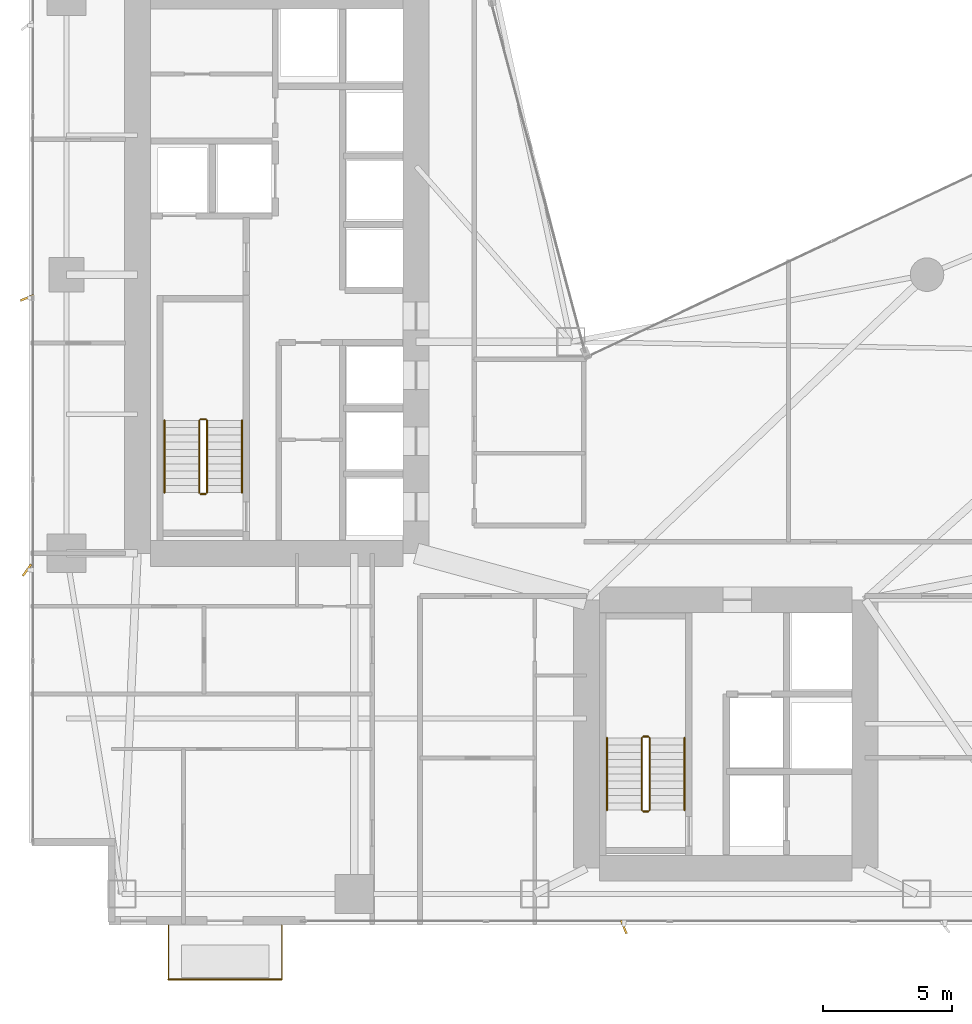
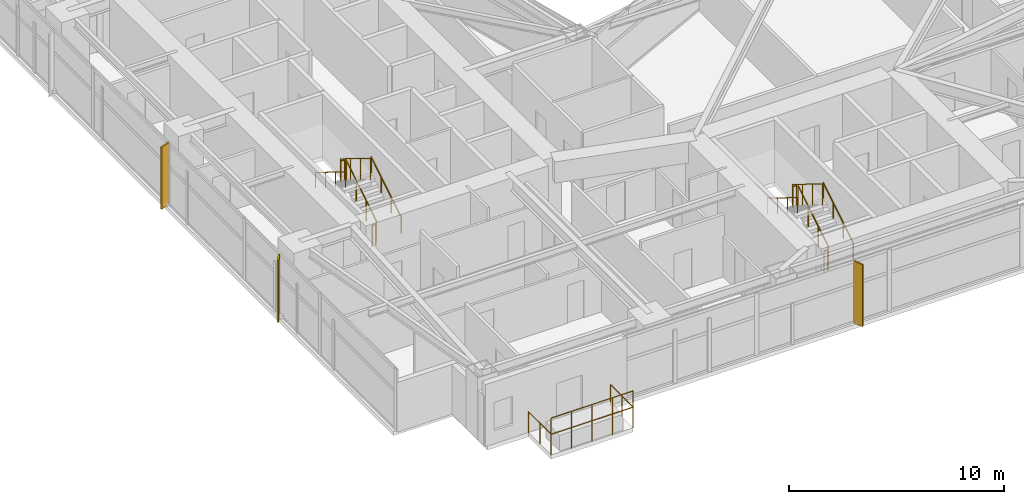
# One storey, part 27 of 28: 14 railings, 3 shading devices.
"""IFC4 building model written with IfcOpenShell, lengths in metres."""

from ifc_helpers import new_model, si_unit, direction, frame, origin, origin_2d, place, context, subcontext, project, spatial, rectangle, circle, extrude, material, type_object, element, save


model = new_model("IFC4")

# Units and contexts
model_context = context("Model", 3, precision=1e-05, world=origin(), true_north=direction((0.0, 1.0)))
body_context = subcontext(model_context, "Body", "Model", "MODEL_VIEW")
ifc_project = project(units=[si_unit("LENGTHUNIT", "METRE"), si_unit("AREAUNIT", "SQUARE_METRE"), si_unit("VOLUMEUNIT", "CUBIC_METRE"), si_unit("PLANEANGLEUNIT", "RADIAN"), si_unit("MASSUNIT", "GRAM", prefix="KILO")], contexts=[model_context])

# Site, building, storey
site_placement = place(None, origin())
site = spatial("IfcSite", under=ifc_project, at=site_placement, CompositionType="ELEMENT")
building_placement = place(site_placement, origin())
building = spatial("IfcBuilding", under=site, at=building_placement, Name="Calvorn Quay Hotel", CompositionType="ELEMENT")
storey_placement = place(building_placement, frame((0.0, 0.0, 42.199951171875)))
storey = spatial("IfcBuildingStorey", under=building, at=storey_placement, Name="L09", CompositionType="ELEMENT", Elevation=42.199951171875)

# Railings
ifc_material_1 = material(Name="Pale Anodised Aluminium and Laminated Glass", Category="aluminium")
railing_type_1 = type_object("IfcRailingType", Name="RLG-BALUSTRADE-1200", PredefinedType="BALUSTRADE", material=ifc_material_1)
railing_1_placement = place(storey_placement, frame((5.39990234375, 2.389892578125, 0.0)))
element("IfcRailing", 1, at=railing_1_placement, inside=storey, type_object=railing_type_1, Name="Tree Balcony Perimeter Balustrade L09-BALC-S", PredefinedType="BALUSTRADE", context=body_context, shape_type="SweptSolid", body=[
    extrude(circle(Radius=0.02392578125, at=origin_2d()), frame((0.0, 0.0, 1.17578125), z_axis=(0.0, -1.0, 0.0), x_axis=(1.0, 0.0, 0.0)), (0.0, 0.0, 1.0), 2.099853515625),
    extrude(circle(Radius=0.02392578125, at=origin_2d()), frame((0.0, -2.099853515625, 1.17578125), z_axis=(1.0, 0.0, 0.0), x_axis=(0.0, 1.0, 0.0)), (0.0, 0.0, 1.0), 4.400146484375),
    extrude(circle(Radius=0.02392578125, at=origin_2d()), frame((4.400146484375, -2.099853515625, 1.17578125), z_axis=(0.0, 1.0, 0.0), x_axis=(-1.0, 0.0, 0.0)), (0.0, 0.0, 1.0), 2.099853515625),
    extrude(circle(Radius=0.02099609375, at=origin_2d()), origin(), (0.0, 0.0, 1.0), 1.15185546875),
    extrude(circle(Radius=0.02099609375, at=origin_2d()), frame((0.0, -1.0498046875, 0.0)), (0.0, 0.0, 1.0), 1.15185546875),
    extrude(circle(Radius=0.02099609375, at=origin_2d()), frame((0.0, -2.099853515625, 0.0)), (0.0, 0.0, 1.0), 1.15185546875),
    extrude(circle(Radius=0.02099609375, at=origin_2d()), frame((1.10009765625, -2.099853515625, 0.0)), (0.0, 0.0, 1.0), 1.15185546875),
    extrude(circle(Radius=0.02099609375, at=origin_2d()), frame((2.2001953125, -2.099853515625, 0.0)), (0.0, 0.0, 1.0), 1.15185546875),
    extrude(circle(Radius=0.02099609375, at=origin_2d()), frame((3.300048828125, -2.099853515625, 0.0)), (0.0, 0.0, 1.0), 1.15185546875),
    extrude(circle(Radius=0.02099609375, at=origin_2d()), frame((4.400146484375, -2.099853515625, 0.0)), (0.0, 0.0, 1.0), 1.15185546875),
    extrude(circle(Radius=0.02099609375, at=origin_2d()), frame((4.400146484375, -1.0498046875, 0.0)), (0.0, 0.0, 1.0), 1.15185546875),
    extrude(circle(Radius=0.02099609375, at=origin_2d()), frame((4.400146484375, 0.0, 0.0)), (0.0, 0.0, 1.0), 1.15185546875),
])
railing_2_placement = place(storey_placement, frame((5.39990234375, 0.2900390625, 0.900146484375)))
element("IfcRailing", 2, at=railing_2_placement, inside=storey, type_object=railing_type_1, Name="Planter Kerb High Safety Screen L09-BALC-S", PredefinedType="BALUSTRADE", context=body_context, shape_type="SweptSolid", body=[
    extrude(circle(Radius=0.02392578125, at=origin_2d()), frame((0.0, 0.0, 1.19580078125), z_axis=(1.0, 0.0, 0.0), x_axis=(0.0, 1.0, 0.0)), (0.0, 0.0, 1.0), 4.400146484375),
    extrude(circle(Radius=0.02099609375, at=origin_2d()), origin(), (0.0, 0.0, 1.0), 1.171875),
    extrude(circle(Radius=0.02099609375, at=origin_2d()), frame((1.10009765625, 0.0, 0.0)), (0.0, 0.0, 1.0), 1.171875),
    extrude(circle(Radius=0.02099609375, at=origin_2d()), frame((2.2001953125, 0.0, 0.0)), (0.0, 0.0, 1.0), 1.171875),
    extrude(circle(Radius=0.02099609375, at=origin_2d()), frame((3.300048828125, 0.0, 0.0)), (0.0, 0.0, 1.0), 1.171875),
    extrude(circle(Radius=0.02099609375, at=origin_2d()), frame((4.400146484375, 0.0, 0.0)), (0.0, 0.0, 1.0), 1.171875),
])
ifc_material_2 = material(Name="Brushed Stainless Steel Handrail", Category="steel")
railing_type_2 = type_object("IfcRailingType", Name="RLG-HANDRAIL-900", PredefinedType="HANDRAIL", material=ifc_material_2)
railing_3_placement = place(storey_placement, frame((8.25, 19.14990234375, 0.1728515625)))
element("IfcRailing", 3, at=railing_3_placement, inside=storey, type_object=railing_type_2, Name="L09 ST-W stair handrail 1", PredefinedType="HANDRAIL", context=body_context, shape_type="SweptSolid", body=[
    extrude(circle(Radius=0.02392578125, at=origin_2d()), frame((0.0, 0.0, 0.8759765625), z_axis=(0.0, 0.851089632645, 0.525020415988), x_axis=(-1.0, 0.0, 0.0)), (0.0, 0.0, 1.0), 3.2900390625),
    extrude(circle(Radius=0.02099609375, at=origin_2d()), origin(), (0.0, 0.0, 1.0), 0.851806640625),
    extrude(circle(Radius=0.02099609375, at=origin_2d()), frame((0.0, 0.933349609375, 0.57568359375)), (0.0, 0.0, 1.0), 0.851806640625),
    extrude(circle(Radius=0.02099609375, at=origin_2d()), frame((0.0, 1.86669921875, 1.151611328125)), (0.0, 0.0, 1.0), 0.851806640625),
    extrude(circle(Radius=0.02099609375, at=origin_2d()), frame((0.0, 2.800048828125, 1.727294921875)), (0.0, 0.0, 1.0), 0.851806640625),
])
railing_4_placement = place(storey_placement, frame((5.25, 21.949951171875, 2.07275390625)))
element("IfcRailing", 4, at=railing_4_placement, inside=storey, type_object=railing_type_2, Name="L09 ST-W stair handrail 2", PredefinedType="HANDRAIL", context=body_context, shape_type="SweptSolid", body=[
    extrude(circle(Radius=0.02392578125, at=origin_2d()), frame((0.0, 0.0, 0.8759765625), z_axis=(0.0, -0.851089632645, 0.525020415988), x_axis=(1.0, 0.0, 0.0)), (0.0, 0.0, 1.0), 3.2900390625),
    extrude(circle(Radius=0.02099609375, at=origin_2d()), origin(), (0.0, 0.0, 1.0), 0.851806640625),
    extrude(circle(Radius=0.02099609375, at=origin_2d()), frame((0.0, -0.933349609375, 0.57568359375)), (0.0, 0.0, 1.0), 0.851806640625),
    extrude(circle(Radius=0.02099609375, at=origin_2d()), frame((0.0, -1.86669921875, 1.151611328125)), (0.0, 0.0, 1.0), 0.851806640625),
    extrude(circle(Radius=0.02099609375, at=origin_2d()), frame((0.0, -2.800048828125, 1.727294921875)), (0.0, 0.0, 1.0), 0.851806640625),
])
railing_5_placement = place(storey_placement, frame((25.39990234375, 6.85009765625, 0.1728515625)))
element("IfcRailing", 5, at=railing_5_placement, inside=storey, type_object=railing_type_2, Name="L09 ST-E stair handrail 1", PredefinedType="HANDRAIL", context=body_context, shape_type="SweptSolid", body=[
    extrude(circle(Radius=0.02392578125, at=origin_2d()), frame((0.0, 0.0, 0.8759765625), z_axis=(0.0, 0.851069175582, 0.525053576669), x_axis=(-1.0, 0.0, 0.0)), (0.0, 0.0, 1.0), 3.289794921875),
    extrude(circle(Radius=0.02099609375, at=origin_2d()), origin(), (0.0, 0.0, 1.0), 0.851806640625),
    extrude(circle(Radius=0.02099609375, at=origin_2d()), frame((0.0, 0.933349609375, 0.57568359375)), (0.0, 0.0, 1.0), 0.851806640625),
    extrude(circle(Radius=0.02099609375, at=origin_2d()), frame((0.0, 1.866455078125, 1.151611328125)), (0.0, 0.0, 1.0), 0.851806640625),
    extrude(circle(Radius=0.02099609375, at=origin_2d()), frame((0.0, 2.7998046875, 1.727294921875)), (0.0, 0.0, 1.0), 0.851806640625),
])
railing_6_placement = place(storey_placement, frame((22.39990234375, 9.64990234375, 2.07275390625)))
element("IfcRailing", 6, at=railing_6_placement, inside=storey, type_object=railing_type_2, Name="L09 ST-E stair handrail 2", PredefinedType="HANDRAIL", context=body_context, shape_type="SweptSolid", body=[
    extrude(circle(Radius=0.02392578125, at=origin_2d()), frame((0.0, 0.0, 0.8759765625), z_axis=(0.0, -0.851069175582, 0.525053576669), x_axis=(1.0, 0.0, 0.0)), (0.0, 0.0, 1.0), 3.289794921875),
    extrude(circle(Radius=0.02099609375, at=origin_2d()), origin(), (0.0, 0.0, 1.0), 0.851806640625),
    extrude(circle(Radius=0.02099609375, at=origin_2d()), frame((0.0, -0.933349609375, 0.57568359375)), (0.0, 0.0, 1.0), 0.851806640625),
    extrude(circle(Radius=0.02099609375, at=origin_2d()), frame((0.0, -1.866455078125, 1.151611328125)), (0.0, 0.0, 1.0), 0.851806640625),
    extrude(circle(Radius=0.02099609375, at=origin_2d()), frame((0.0, -2.7998046875, 1.727294921875)), (0.0, 0.0, 1.0), 0.851806640625),
])
ifc_material_3 = material(Name="Painted Galvanised Steel Balustrade", Category="steel")
railing_type_3 = type_object("IfcRailingType", Name="RLG-STAIR-GUARD-1120", PredefinedType="GUARDRAIL", material=ifc_material_3)
railing_7_placement = place(storey_placement, frame((6.89990234375, 19.14990234375, 0.1728515625)))
element("IfcRailing", 7, at=railing_7_placement, inside=storey, type_object=railing_type_3, Name="L09 ST-W stair guard 1", PredefinedType="GUARDRAIL", context=body_context, shape_type="SweptSolid", body=[
    extrude(circle(Radius=0.02392578125, at=origin_2d()), frame((0.0, 0.0, 1.17578125), z_axis=(0.0, 0.851089632645, 0.525020415988), x_axis=(-1.0, 0.0, 0.0)), (0.0, 0.0, 1.0), 3.2900390625),
    extrude(circle(Radius=0.02099609375, at=origin_2d()), origin(), (0.0, 0.0, 1.0), 1.15185546875),
    extrude(circle(Radius=0.02099609375, at=origin_2d()), frame((0.0, 0.933349609375, 0.57568359375)), (0.0, 0.0, 1.0), 1.15185546875),
    extrude(circle(Radius=0.02099609375, at=origin_2d()), frame((0.0, 1.86669921875, 1.151611328125)), (0.0, 0.0, 1.0), 1.15185546875),
    extrude(circle(Radius=0.02099609375, at=origin_2d()), frame((0.0, 2.800048828125, 1.727294921875)), (0.0, 0.0, 1.0), 1.15185546875),
])
railing_8_placement = place(storey_placement, frame((6.85009765625, 22.0, 1.900146484375)))
element("IfcRailing", 8, at=railing_8_placement, inside=storey, type_object=railing_type_3, Name="L09 ST-W stair guard 2", PredefinedType="GUARDRAIL", context=body_context, shape_type="SweptSolid", body=[
    extrude(circle(Radius=0.02392578125, at=origin_2d()), frame((0.0, 0.0, 1.17578125), z_axis=(-1.0, 0.0, 0.0), x_axis=(0.0, -1.0, 0.0)), (0.0, 0.0, 1.0), 0.2001953125),
    extrude(circle(Radius=0.02099609375, at=origin_2d()), origin(), (0.0, 0.0, 1.0), 1.15185546875),
    extrude(circle(Radius=0.02099609375, at=origin_2d()), frame((-0.2001953125, 0.0, 0.0)), (0.0, 0.0, 1.0), 1.15185546875),
])
railing_9_placement = place(storey_placement, frame((6.60009765625, 21.949951171875, 2.07275390625)))
element("IfcRailing", 9, at=railing_9_placement, inside=storey, type_object=railing_type_3, Name="L09 ST-W stair guard 3", PredefinedType="GUARDRAIL", context=body_context, shape_type="SweptSolid", body=[
    extrude(circle(Radius=0.02392578125, at=origin_2d()), frame((0.0, 0.0, 1.17578125), z_axis=(0.0, -0.851089632645, 0.525020415988), x_axis=(1.0, 0.0, 0.0)), (0.0, 0.0, 1.0), 3.2900390625),
    extrude(circle(Radius=0.02099609375, at=origin_2d()), origin(), (0.0, 0.0, 1.0), 1.15185546875),
    extrude(circle(Radius=0.02099609375, at=origin_2d()), frame((0.0, -0.933349609375, 0.57568359375)), (0.0, 0.0, 1.0), 1.15185546875),
    extrude(circle(Radius=0.02099609375, at=origin_2d()), frame((0.0, -1.86669921875, 1.151611328125)), (0.0, 0.0, 1.0), 1.15185546875),
    extrude(circle(Radius=0.02099609375, at=origin_2d()), frame((0.0, -2.800048828125, 1.727294921875)), (0.0, 0.0, 1.0), 1.15185546875),
])
railing_10_placement = place(storey_placement, frame((6.85009765625, 19.10009765625, 0.0)))
element("IfcRailing", 10, at=railing_10_placement, inside=storey, type_object=railing_type_3, Name="L09 ST-W stair guard 4", PredefinedType="GUARDRAIL", context=body_context, shape_type="SweptSolid", body=[
    extrude(circle(Radius=0.02392578125, at=origin_2d()), frame((0.0, 0.0, 1.17578125), z_axis=(-1.0, 0.0, 0.0), x_axis=(0.0, -1.0, 0.0)), (0.0, 0.0, 1.0), 0.2001953125),
    extrude(circle(Radius=0.02099609375, at=origin_2d()), origin(), (0.0, 0.0, 1.0), 1.15185546875),
    extrude(circle(Radius=0.02099609375, at=origin_2d()), frame((-0.2001953125, 0.0, 0.0)), (0.0, 0.0, 1.0), 1.15185546875),
])
railing_11_placement = place(storey_placement, frame((24.050048828125, 6.85009765625, 0.1728515625)))
element("IfcRailing", 11, at=railing_11_placement, inside=storey, type_object=railing_type_3, Name="L09 ST-E stair guard 1", PredefinedType="GUARDRAIL", context=body_context, shape_type="SweptSolid", body=[
    extrude(circle(Radius=0.02392578125, at=origin_2d()), frame((0.0, 0.0, 1.17578125), z_axis=(0.0, 0.851069175582, 0.525053576669), x_axis=(-1.0, 0.0, 0.0)), (0.0, 0.0, 1.0), 3.289794921875),
    extrude(circle(Radius=0.02099609375, at=origin_2d()), origin(), (0.0, 0.0, 1.0), 1.15185546875),
    extrude(circle(Radius=0.02099609375, at=origin_2d()), frame((0.0, 0.933349609375, 0.57568359375)), (0.0, 0.0, 1.0), 1.15185546875),
    extrude(circle(Radius=0.02099609375, at=origin_2d()), frame((0.0, 1.866455078125, 1.151611328125)), (0.0, 0.0, 1.0), 1.15185546875),
    extrude(circle(Radius=0.02099609375, at=origin_2d()), frame((0.0, 2.7998046875, 1.727294921875)), (0.0, 0.0, 1.0), 1.15185546875),
])
railing_12_placement = place(storey_placement, frame((24.0, 9.699951171875, 1.900146484375)))
element("IfcRailing", 12, at=railing_12_placement, inside=storey, type_object=railing_type_3, Name="L09 ST-E stair guard 2", PredefinedType="GUARDRAIL", context=body_context, shape_type="SweptSolid", body=[
    extrude(circle(Radius=0.02392578125, at=origin_2d()), frame((0.0, 0.0, 1.17578125), z_axis=(-1.0, 0.0, 0.0), x_axis=(0.0, -1.0, 0.0)), (0.0, 0.0, 1.0), 0.199951171875),
    extrude(circle(Radius=0.02099609375, at=origin_2d()), origin(), (0.0, 0.0, 1.0), 1.15185546875),
    extrude(circle(Radius=0.02099609375, at=origin_2d()), frame((-0.199951171875, 0.0, 0.0)), (0.0, 0.0, 1.0), 1.15185546875),
])
railing_13_placement = place(storey_placement, frame((23.75, 9.64990234375, 2.07275390625)))
element("IfcRailing", 13, at=railing_13_placement, inside=storey, type_object=railing_type_3, Name="L09 ST-E stair guard 3", PredefinedType="GUARDRAIL", context=body_context, shape_type="SweptSolid", body=[
    extrude(circle(Radius=0.02392578125, at=origin_2d()), frame((0.0, 0.0, 1.17578125), z_axis=(0.0, -0.851069175582, 0.525053576669), x_axis=(1.0, 0.0, 0.0)), (0.0, 0.0, 1.0), 3.289794921875),
    extrude(circle(Radius=0.02099609375, at=origin_2d()), origin(), (0.0, 0.0, 1.0), 1.15185546875),
    extrude(circle(Radius=0.02099609375, at=origin_2d()), frame((0.0, -0.933349609375, 0.57568359375)), (0.0, 0.0, 1.0), 1.15185546875),
    extrude(circle(Radius=0.02099609375, at=origin_2d()), frame((0.0, -1.866455078125, 1.151611328125)), (0.0, 0.0, 1.0), 1.15185546875),
    extrude(circle(Radius=0.02099609375, at=origin_2d()), frame((0.0, -2.7998046875, 1.727294921875)), (0.0, 0.0, 1.0), 1.15185546875),
])
railing_14_placement = place(storey_placement, frame((24.0, 6.800048828125, 0.0)))
element("IfcRailing", 14, at=railing_14_placement, inside=storey, type_object=railing_type_3, Name="L09 ST-E stair guard 4", PredefinedType="GUARDRAIL", context=body_context, shape_type="SweptSolid", body=[
    extrude(circle(Radius=0.02392578125, at=origin_2d()), frame((0.0, 0.0, 1.17578125), z_axis=(-1.0, 0.0, 0.0), x_axis=(0.0, -1.0, 0.0)), (0.0, 0.0, 1.0), 0.199951171875),
    extrude(circle(Radius=0.02099609375, at=origin_2d()), origin(), (0.0, 0.0, 1.0), 1.15185546875),
    extrude(circle(Radius=0.02099609375, at=origin_2d()), frame((-0.199951171875, 0.0, 0.0)), (0.0, 0.0, 1.0), 1.15185546875),
])

# Shading devices
ifc_material_4 = material(Name="Champagne Bronze Anodised Aluminium 6063-T6", Category="aluminium")
shading_device_type_1 = type_object("IfcShadingDeviceType", Name="SHD-FIN-A1", PredefinedType="USERDEFINED", material=ifc_material_4)
for number, where, z_axis, x_axis, name in (
    (15, (-0.080078125, 26.699951171875, 0.0), (0.0, 0.0, 1.0), (0.927183854567, 0.374606593416, 0.0), "Diagonal Sun-Shading Fin L09-W02"),
    (16, (23.050048828125, 2.320068359375, 0.0), (0.0, 0.0, 1.0), (-0.374606593416, 0.927183854567, 0.0), "Diagonal Sun-Shading Fin L09-S01"),
):
    element("IfcShadingDevice", number, at=place(storey_placement, frame(where, z_axis=z_axis, x_axis=x_axis)), inside=storey, type_object=shading_device_type_1, Name=name, ObjectType="FIN", PredefinedType="USERDEFINED", context=body_context, shape_type="SweptSolid", body=[
        extrude(rectangle(XDim=0.550048828125, YDim=0.080078125, at=origin_2d()), origin(), (0.0, 0.0, 1.0), 3.52001953125),
    ])
ifc_material_5 = material(Name="Champagne Bronze Anodised Aluminium 6063-T6", Category="aluminium")
shading_device_type_2 = type_object("IfcShadingDeviceType", Name="SHD-FIN-A3", PredefinedType="USERDEFINED", material=ifc_material_5)
shading_device_placement = place(storey_placement, frame((-0.080078125, 16.14990234375, 0.0), z_axis=(0.0, 0.0, 1.0), x_axis=(0.587785252292, 0.809016994375, 0.0)))
element("IfcShadingDevice", 17, at=shading_device_placement, inside=storey, type_object=shading_device_type_2, Name="Diagonal Sun-Shading Fin L09-W01", ObjectType="FIN", PredefinedType="USERDEFINED", context=body_context, shape_type="SweptSolid", body=[
    extrude(rectangle(XDim=0.550048828125, YDim=0.080078125, at=origin_2d()), origin(), (0.0, 0.0, 1.0), 3.52001953125),
])

save(model, "model.ifc")
